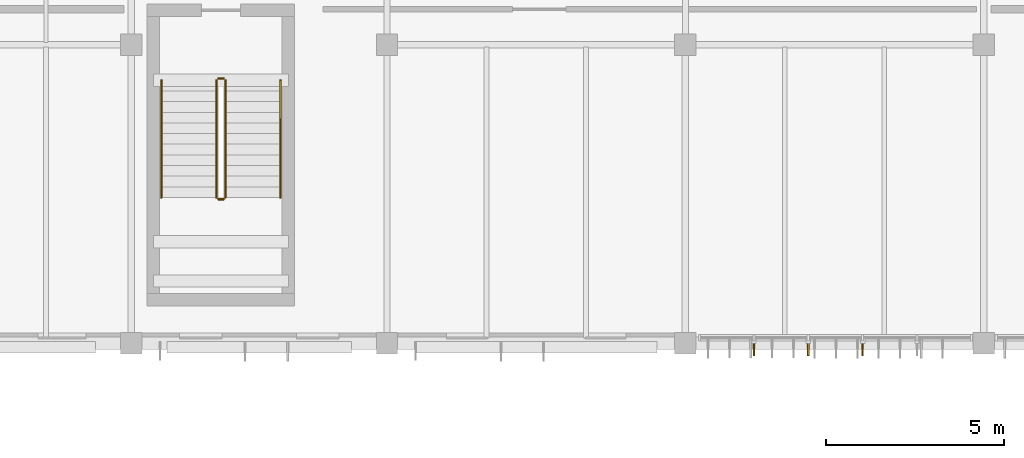
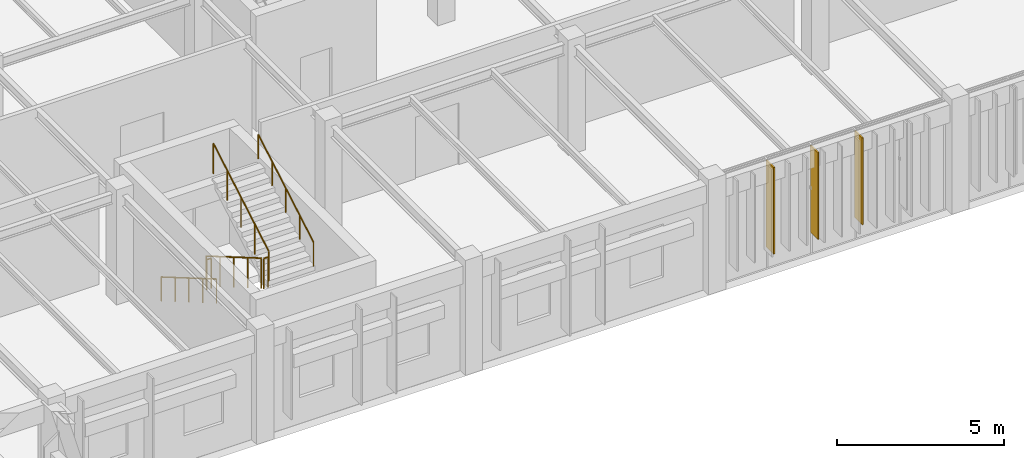
# One storey, part 100 of 104: 6 railings, 3 shading devices.
"""IFC4 building model written with IfcOpenShell, lengths in metres."""

from ifc_helpers import new_model, si_unit, direction, frame, origin, origin_2d, place, context, subcontext, project, spatial, rectangle, circle, extrude, material, layer, layer_set, material_profile, profile_set, type_object, element, save


model = new_model("IFC4")

# Units and contexts
model_context = context("Model", 3, precision=1e-05, world=origin(), true_north=direction((0.0, 1.0)))
body_context = subcontext(model_context, "Body", "Model", "MODEL_VIEW")
ifc_project = project(units=[si_unit("LENGTHUNIT", "METRE"), si_unit("AREAUNIT", "SQUARE_METRE"), si_unit("VOLUMEUNIT", "CUBIC_METRE"), si_unit("PLANEANGLEUNIT", "RADIAN"), si_unit("MASSUNIT", "GRAM", prefix="KILO")], contexts=[model_context])

# Site, building, storey
site_placement = place(None, origin())
site = spatial("IfcSite", under=ifc_project, at=site_placement, CompositionType="ELEMENT")
building_placement = place(site_placement, origin())
building = spatial("IfcBuilding", under=site, at=building_placement, Name="Tazoul Stagehouse", CompositionType="ELEMENT")
storey_placement = place(building_placement, frame((0.0, 0.0, 9.0)))
storey = spatial("IfcBuildingStorey", under=building, at=storey_placement, Name="L02", CompositionType="ELEMENT", Elevation=9.0)

# Shading devices
ifc_material_1 = material(Name="Anodised Bronze Aluminium 6063-T6", Category="aluminium")
ifc_layer_1 = layer(ifc_material_1, 0.050048828125, Name="Anodised Bronze Aluminium 6063-T6")
ifc_layer_set_1 = layer_set([ifc_layer_1], Name="Anodised Bronze Aluminium 6063-T6")
shading_device_type_1 = type_object("IfcShadingDeviceType", Name="Angled Acoustic Sun-Screen Blade 460", PredefinedType="USERDEFINED", material=ifc_layer_set_1)
for number, where, z_axis, x_axis, name in (
    (1, (127.330078125, 87.669921875, 0.75), (0.0, 0.0, 1.0), (1.0, 0.0, 0.0), "Shading Louvre FIN-02 CW-V3-S2-L02-B1-SHD01"),
    (2, (130.389892578125, 87.669921875, 0.75), (0.0, 0.0, 1.0), (1.0, 0.0, 0.0), "Shading Louvre FIN-02 CW-V3-S2-L02-B1-SHD03"),
):
    element("IfcShadingDevice", number, at=place(storey_placement, frame(where, z_axis=z_axis, x_axis=x_axis)), inside=storey, type_object=shading_device_type_1, Name=name, ObjectType="FIN", PredefinedType="USERDEFINED", context=body_context, shape_type="SweptSolid", body=[
        extrude(rectangle(XDim=0.044921875, YDim=0.4599609375, at=origin_2d()), origin(), (0.0, 0.0, 1.0), 3.169921875),
    ])

# Railings
ifc_material_2 = material(Name="Brushed Stainless Steel 316L", Category="steel")
ifc_material_profile_1 = material_profile(ifc_material_2, circle(Radius=0.02392578125, at=origin_2d()), Name="SS RAIL D48")
ifc_profile_set_1 = profile_set([ifc_material_profile_1], Name="Brushed Stainless Steel 316L")
railing_type_1 = type_object("IfcRailingType", Name="Architectural Guardrail H1120", PredefinedType="GUARDRAIL", material=ifc_profile_set_1)
railing_1_placement = place(storey_placement, frame((112.199951171875, 95.199951171875, 0.175048828125)))
element("IfcRailing", 3, at=railing_1_placement, inside=storey, type_object=railing_type_1, Name="L02 ST-04 stair guard 1", PredefinedType="GUARDRAIL", context=body_context, shape_type="SweptSolid", body=[
    extrude(circle(Radius=0.02392578125, at=origin_2d()), frame((0.0, 0.0, 1.09619140625), z_axis=(0.0, -0.863776583165, 0.503874998761), x_axis=(1.0, 0.0, 0.0)), (0.0, 0.0, 1.0), 3.820556640625),
    extrude(circle(Radius=0.02099609375, at=origin_2d()), origin(), (0.0, 0.0, 1.0), 1.072021484375),
    extrude(circle(Radius=0.02099609375, at=origin_2d()), frame((0.0, -0.824951171875, 0.481201171875)), (0.0, 0.0, 1.0), 1.072021484375),
    extrude(circle(Radius=0.02099609375, at=origin_2d()), frame((0.0, -1.64990234375, 0.96240234375)), (0.0, 0.0, 1.0), 1.072021484375),
    extrude(circle(Radius=0.02099609375, at=origin_2d()), frame((0.0, -2.47509765625, 1.44384765625)), (0.0, 0.0, 1.0), 1.072021484375),
    extrude(circle(Radius=0.02099609375, at=origin_2d()), frame((0.0, -3.300048828125, 1.925048828125)), (0.0, 0.0, 1.0), 1.072021484375),
])
railing_2_placement = place(storey_placement, frame((112.25, 91.85009765625, 2.10009765625)))
element("IfcRailing", 4, at=railing_2_placement, inside=storey, type_object=railing_type_1, Name="L02 ST-04 stair guard 2", PredefinedType="GUARDRAIL", context=body_context, shape_type="SweptSolid", body=[
    extrude(circle(Radius=0.02392578125, at=origin_2d()), frame((0.0, 0.0, 1.09619140625), z_axis=(1.0, 0.0, 0.0), x_axis=(0.0, 1.0, 0.0)), (0.0, 0.0, 1.0), 0.14990234375),
    extrude(circle(Radius=0.02099609375, at=origin_2d()), origin(), (0.0, 0.0, 1.0), 1.072021484375),
    extrude(circle(Radius=0.02099609375, at=origin_2d()), frame((0.14990234375, 0.0, 0.0)), (0.0, 0.0, 1.0), 1.072021484375),
])
railing_3_placement = place(storey_placement, frame((112.449951171875, 91.89990234375, 2.27490234375)))
element("IfcRailing", 5, at=railing_3_placement, inside=storey, type_object=railing_type_1, Name="L02 ST-04 stair guard 3", PredefinedType="GUARDRAIL", context=body_context, shape_type="SweptSolid", body=[
    extrude(circle(Radius=0.02392578125, at=origin_2d()), frame((0.0, 0.0, 1.09619140625), z_axis=(0.0, 0.863776583165, 0.503874998761), x_axis=(-1.0, 0.0, 0.0)), (0.0, 0.0, 1.0), 3.820556640625),
    extrude(circle(Radius=0.02099609375, at=origin_2d()), origin(), (0.0, 0.0, 1.0), 1.072021484375),
    extrude(circle(Radius=0.02099609375, at=origin_2d()), frame((0.0, 0.824951171875, 0.481201171875)), (0.0, 0.0, 1.0), 1.072021484375),
    extrude(circle(Radius=0.02099609375, at=origin_2d()), frame((0.0, 1.64990234375, 0.96240234375)), (0.0, 0.0, 1.0), 1.072021484375),
    extrude(circle(Radius=0.02099609375, at=origin_2d()), frame((0.0, 2.47509765625, 1.44384765625)), (0.0, 0.0, 1.0), 1.072021484375),
    extrude(circle(Radius=0.02099609375, at=origin_2d()), frame((0.0, 3.300048828125, 1.925048828125)), (0.0, 0.0, 1.0), 1.072021484375),
])
railing_4_placement = place(storey_placement, frame((112.25, 95.25, 0.0)))
element("IfcRailing", 6, at=railing_4_placement, inside=storey, type_object=railing_type_1, Name="L02 ST-04 stair guard 4", PredefinedType="GUARDRAIL", context=body_context, shape_type="SweptSolid", body=[
    extrude(circle(Radius=0.02392578125, at=origin_2d()), frame((0.0, 0.0, 1.09619140625), z_axis=(1.0, 0.0, 0.0), x_axis=(0.0, 1.0, 0.0)), (0.0, 0.0, 1.0), 0.14990234375),
    extrude(circle(Radius=0.02099609375, at=origin_2d()), origin(), (0.0, 0.0, 1.0), 1.072021484375),
    extrude(circle(Radius=0.02099609375, at=origin_2d()), frame((0.14990234375, 0.0, 0.0)), (0.0, 0.0, 1.0), 1.072021484375),
])
ifc_material_profile_2 = material_profile(ifc_material_2, circle(Radius=0.02099609375, at=origin_2d()), Name="SS HANDRAIL D42")
ifc_profile_set_2 = profile_set([ifc_material_profile_2], Name="Brushed Stainless Steel 316L")
railing_type_2 = type_object("IfcRailingType", Name="Continuous Stair Handrail H900", PredefinedType="HANDRAIL", material=ifc_profile_set_2)
railing_5_placement = place(storey_placement, frame((110.64990234375, 95.199951171875, 0.175048828125)))
element("IfcRailing", 7, at=railing_5_placement, inside=storey, type_object=railing_type_2, Name="L02 ST-04 stair handrail 1", PredefinedType="HANDRAIL", context=body_context, shape_type="SweptSolid", body=[
    extrude(circle(Radius=0.02392578125, at=origin_2d()), frame((0.0, 0.0, 0.8759765625), z_axis=(0.0, -0.863776583165, 0.503874998761), x_axis=(1.0, 0.0, 0.0)), (0.0, 0.0, 1.0), 3.820556640625),
    extrude(circle(Radius=0.02099609375, at=origin_2d()), origin(), (0.0, 0.0, 1.0), 0.851806640625),
    extrude(circle(Radius=0.02099609375, at=origin_2d()), frame((0.0, -0.824951171875, 0.481201171875)), (0.0, 0.0, 1.0), 0.851806640625),
    extrude(circle(Radius=0.02099609375, at=origin_2d()), frame((0.0, -1.64990234375, 0.96240234375)), (0.0, 0.0, 1.0), 0.851806640625),
    extrude(circle(Radius=0.02099609375, at=origin_2d()), frame((0.0, -2.47509765625, 1.44384765625)), (0.0, 0.0, 1.0), 0.851806640625),
    extrude(circle(Radius=0.02099609375, at=origin_2d()), frame((0.0, -3.300048828125, 1.925048828125)), (0.0, 0.0, 1.0), 0.851806640625),
])
railing_6_placement = place(storey_placement, frame((114.0, 91.89990234375, 2.27490234375)))
element("IfcRailing", 8, at=railing_6_placement, inside=storey, type_object=railing_type_2, Name="L02 ST-04 stair handrail 2", PredefinedType="HANDRAIL", context=body_context, shape_type="SweptSolid", body=[
    extrude(circle(Radius=0.02392578125, at=origin_2d()), frame((0.0, 0.0, 0.8759765625), z_axis=(0.0, 0.863776583165, 0.503874998761), x_axis=(-1.0, 0.0, 0.0)), (0.0, 0.0, 1.0), 3.820556640625),
    extrude(circle(Radius=0.02099609375, at=origin_2d()), origin(), (0.0, 0.0, 1.0), 0.851806640625),
    extrude(circle(Radius=0.02099609375, at=origin_2d()), frame((0.0, 0.824951171875, 0.481201171875)), (0.0, 0.0, 1.0), 0.851806640625),
    extrude(circle(Radius=0.02099609375, at=origin_2d()), frame((0.0, 1.64990234375, 0.96240234375)), (0.0, 0.0, 1.0), 0.851806640625),
    extrude(circle(Radius=0.02099609375, at=origin_2d()), frame((0.0, 2.47509765625, 1.44384765625)), (0.0, 0.0, 1.0), 0.851806640625),
    extrude(circle(Radius=0.02099609375, at=origin_2d()), frame((0.0, 3.300048828125, 1.925048828125)), (0.0, 0.0, 1.0), 0.851806640625),
])

# Shading device
ifc_layer_2 = layer(ifc_material_1, 0.044921875, Name="Anodised Bronze Aluminium 6063-T6")
ifc_layer_set_2 = layer_set([ifc_layer_2], Name="Anodised Bronze Aluminium 6063-T6")
shading_device_type_2 = type_object("IfcShadingDeviceType", Name="Vertical Extruded Terracotta-Bronze Louvre 460", PredefinedType="JALOUSIE", material=ifc_layer_set_2)
shading_device_placement = place(storey_placement, frame((128.860107421875, 87.669921875, 0.75), z_axis=(0.0, 0.0, 1.0), x_axis=(1.0, 0.0, 0.0)))
element("IfcShadingDevice", 9, at=shading_device_placement, inside=storey, type_object=shading_device_type_2, Name="Shading Louvre FIN-01 CW-V3-S2-L02-B1-SHD02", PredefinedType="JALOUSIE", context=body_context, shape_type="SweptSolid", body=[
    extrude(rectangle(XDim=0.044921875, YDim=0.4599609375, at=origin_2d()), origin(), (0.0, 0.0, 1.0), 3.169921875),
])

save(model, "model.ifc")
